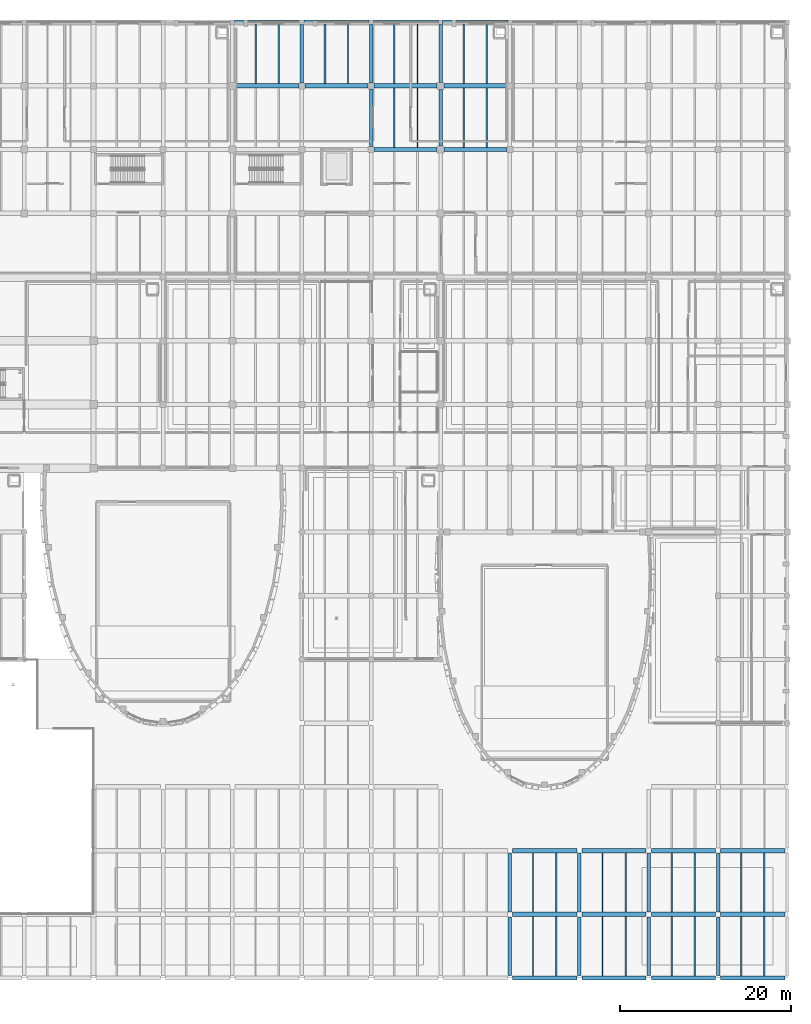
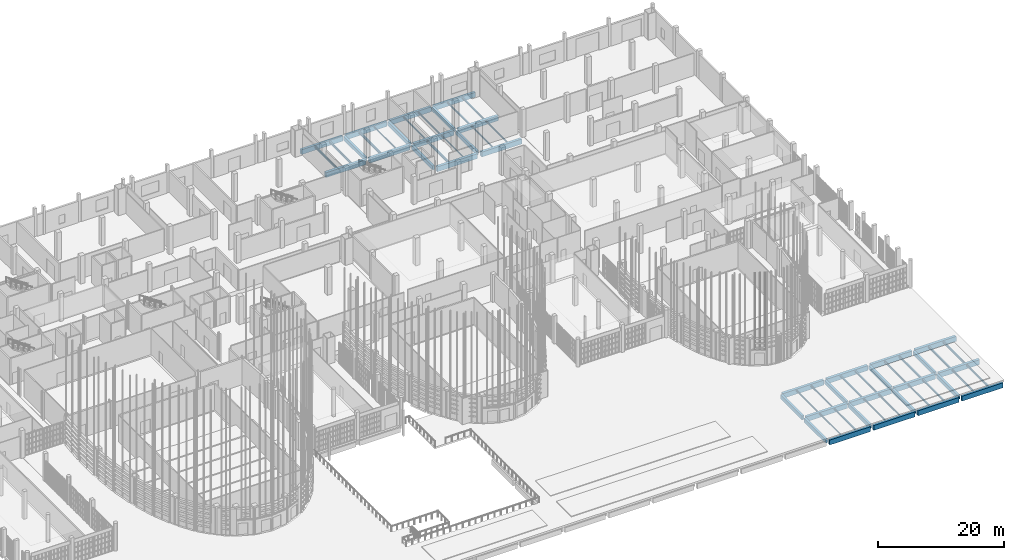
# One storey, part 251 of 372: 63 beams.
"""IFC4 building model written with IfcOpenShell, lengths in metres."""

from ifc_helpers import new_model, si_unit, direction, frame, origin, origin_2d, place, context, subcontext, project, spatial, rectangle, i_section, extrude, material, material_profile, profile_set, type_object, element, save


model = new_model("IFC4")

# Units and contexts
model_context = context("Model", 3, precision=1e-05, world=origin(), true_north=direction((0.0, 1.0)))
body_context = subcontext(model_context, "Body", "Model", "MODEL_VIEW")
ifc_project = project(units=[si_unit("LENGTHUNIT", "METRE"), si_unit("AREAUNIT", "SQUARE_METRE"), si_unit("VOLUMEUNIT", "CUBIC_METRE"), si_unit("PLANEANGLEUNIT", "RADIAN"), si_unit("MASSUNIT", "GRAM", prefix="KILO")], contexts=[model_context])

# Site, building, storey
site_placement = place(None, origin())
site = spatial("IfcSite", under=ifc_project, at=site_placement, CompositionType="ELEMENT")
building_placement = place(site_placement, origin())
building = spatial("IfcBuilding", under=site, at=building_placement, Name="Kaelora Sail Theatre", CompositionType="ELEMENT")
storey_placement = place(building_placement, origin())
storey = spatial("IfcBuildingStorey", under=building, at=storey_placement, Name="L00", CompositionType="ELEMENT", Elevation=0.0)

# Beams
ifc_material_1 = material(Name="Steel S355", Category="steel")
ifc_material_profile_1 = material_profile(ifc_material_1, i_section(OverallWidth=0.18994140625, OverallDepth=0.449951171875, WebThickness=0.009521484375, FlangeThickness=0.0146484375, FilletRadius=0.02099609375, at=origin_2d()), Name="IPE 450")
ifc_profile_set_1 = profile_set([ifc_material_profile_1], Name="Steel S355")
beam_type_1 = type_object("IfcBeamType", Name="STR-BM-BM-IPE450", PredefinedType="BEAM", material=ifc_profile_set_1)
for number, where, z_axis, x_axis, name in (
    (1, (104.10009765625, 105.909912109375, -0.544921875), (0.0, 1.0, 0.0), (-1.0, 0.0, 0.0), "Secondary floor joist 13/O-2 (L00)"),
    (2, (109.5, 105.909912109375, -0.544921875), (0.0, 1.0, 0.0), (-1.0, 0.0, 0.0), "Secondary floor joist 14/O-1 (L00)"),
):
    element("IfcBeam", number, at=place(storey_placement, frame(where, z_axis=z_axis, x_axis=x_axis)), inside=storey, type_object=beam_type_1, Name=name, PredefinedType="BEAM", context=body_context, shape_type="SweptSolid", body=[
        extrude(i_section(OverallWidth=0.18994140625, OverallDepth=0.449951171875, WebThickness=0.009521484375, FlangeThickness=0.0146484375, FilletRadius=0.02099609375, at=origin_2d()), origin(), (0.0, 0.0, 1.0), 6.965087890625),
    ])
for number, where, z_axis, x_axis, name in (
    (3, (117.60009765625, 98.469970703125, -0.544921875), (0.0, 1.0, 0.0), (-1.0, 0.0, 0.0), "Secondary floor joist 15/N-1 (L00)"),
    (4, (160.800048828125, 9.18994140625, -0.544921875), (0.0, 1.0, 0.0), (-1.0, 0.0, 0.0), "Secondary floor joist 20/B-2 (L00)"),
):
    element("IfcBeam", number, at=place(storey_placement, frame(where, z_axis=z_axis, x_axis=x_axis)), inside=storey, type_object=beam_type_1, Name=name, PredefinedType="BEAM", context=body_context, shape_type="SweptSolid", body=[
        extrude(i_section(OverallWidth=0.18994140625, OverallDepth=0.449951171875, WebThickness=0.009521484375, FlangeThickness=0.0146484375, FilletRadius=0.02099609375, at=origin_2d()), origin(), (0.0, 0.0, 1.0), 6.93994140625),
    ])
ifc_material_2 = material(Name="Concrete C40/50", Category="concrete")
ifc_material_profile_2 = material_profile(ifc_material_2, rectangle(XDim=0.39990234375, YDim=0.75, at=origin_2d()), Name="RC-BM 400x750")
ifc_profile_set_2 = profile_set([ifc_material_profile_2], Name="Concrete C40/50")
beam_type_2 = type_object("IfcBeamType", Name="STR-BM-BM-RC4075", PredefinedType="BEAM", material=ifc_profile_set_2)
beam_1_placement = place(storey_placement, frame((106.800048828125, 106.010009765625, -0.695068359375), z_axis=(0.0, 1.0, 0.0), x_axis=(-1.0, 0.0, 0.0)))
element("IfcBeam", 5, at=beam_1_placement, inside=storey, type_object=beam_type_2, Name="Primary beam 14 O-P (L00)", PredefinedType="BEAM", context=body_context, shape_type="SweptSolid", body=[
    extrude(rectangle(XDim=0.39990234375, YDim=0.75, at=origin_2d()), origin(), (0.0, 0.0, 1.0), 6.840087890625),
])
beam_2_placement = place(storey_placement, frame((114.89990234375, 98.570068359375, -0.695068359375), z_axis=(0.0, 1.0, 0.0), x_axis=(-1.0, 0.0, 0.0)))
element("IfcBeam", 6, at=beam_2_placement, inside=storey, type_object=beam_type_2, Name="Primary beam 15 N-O (L00)", PredefinedType="BEAM", context=body_context, shape_type="SweptSolid", body=[
    extrude(rectangle(XDim=0.39990234375, YDim=0.75, at=origin_2d()), origin(), (0.0, 0.0, 1.0), 6.739990234375),
])
beam_3_placement = place(storey_placement, frame((114.89990234375, 106.010009765625, -0.695068359375), z_axis=(0.0, 1.0, 0.0), x_axis=(-1.0, 0.0, 0.0)))
element("IfcBeam", 7, at=beam_3_placement, inside=storey, type_object=beam_type_2, Name="Primary beam 15 O-P (L00)", PredefinedType="BEAM", context=body_context, shape_type="SweptSolid", body=[
    extrude(rectangle(XDim=0.39990234375, YDim=0.75, at=origin_2d()), origin(), (0.0, 0.0, 1.0), 6.840087890625),
])
beam_4_placement = place(storey_placement, frame((123.0, 98.6201171875, -0.695068359375), z_axis=(0.0, 1.0, 0.0), x_axis=(-1.0, 0.0, 0.0)))
element("IfcBeam", 8, at=beam_4_placement, inside=storey, type_object=beam_type_2, Name="Primary beam 16 N-O (L00)", PredefinedType="BEAM", context=body_context, shape_type="SweptSolid", body=[
    extrude(rectangle(XDim=0.39990234375, YDim=0.75, at=origin_2d()), origin(), (0.0, 0.0, 1.0), 6.639892578125),
])
beam_5_placement = place(storey_placement, frame((123.0, 106.06005859375, -0.695068359375), z_axis=(0.0, 1.0, 0.0), x_axis=(-1.0, 0.0, 0.0)))
element("IfcBeam", 9, at=beam_5_placement, inside=storey, type_object=beam_type_2, Name="Primary beam 16 O-P (L00)", PredefinedType="BEAM", context=body_context, shape_type="SweptSolid", body=[
    extrude(rectangle(XDim=0.39990234375, YDim=0.75, at=origin_2d()), origin(), (0.0, 0.0, 1.0), 6.7900390625),
])
beam_6_placement = place(storey_placement, frame((131.10009765625, 1.800048828125, -0.695068359375), z_axis=(0.0, 1.0, 0.0), x_axis=(-1.0, 0.0, 0.0)))
element("IfcBeam", 10, at=beam_6_placement, inside=storey, type_object=beam_type_2, Name="Primary beam 17 A-B (L00)", PredefinedType="BEAM", context=body_context, shape_type="SweptSolid", body=[
    extrude(rectangle(XDim=0.39990234375, YDim=0.75, at=origin_2d()), origin(), (0.0, 0.0, 1.0), 6.83984375),
])
beam_7_placement = place(storey_placement, frame((131.10009765625, 9.239990234375, -0.695068359375), z_axis=(0.0, 1.0, 0.0), x_axis=(-1.0, 0.0, 0.0)))
element("IfcBeam", 11, at=beam_7_placement, inside=storey, type_object=beam_type_2, Name="Primary beam 17 B-C (L00)", PredefinedType="BEAM", context=body_context, shape_type="SweptSolid", body=[
    extrude(rectangle(XDim=0.39990234375, YDim=0.75, at=origin_2d()), origin(), (0.0, 0.0, 1.0), 6.840087890625),
])
beam_8_placement = place(storey_placement, frame((139.199951171875, 1.800048828125, -0.695068359375), z_axis=(0.0, 1.0, 0.0), x_axis=(-1.0, 0.0, 0.0)))
element("IfcBeam", 12, at=beam_8_placement, inside=storey, type_object=beam_type_2, Name="Primary beam 18 A-B (L00)", PredefinedType="BEAM", context=body_context, shape_type="SweptSolid", body=[
    extrude(rectangle(XDim=0.39990234375, YDim=0.75, at=origin_2d()), origin(), (0.0, 0.0, 1.0), 6.83984375),
])
beam_9_placement = place(storey_placement, frame((139.199951171875, 9.239990234375, -0.695068359375), z_axis=(0.0, 1.0, 0.0), x_axis=(-1.0, 0.0, 0.0)))
element("IfcBeam", 13, at=beam_9_placement, inside=storey, type_object=beam_type_2, Name="Primary beam 18 B-C (L00)", PredefinedType="BEAM", context=body_context, shape_type="SweptSolid", body=[
    extrude(rectangle(XDim=0.39990234375, YDim=0.75, at=origin_2d()), origin(), (0.0, 0.0, 1.0), 6.840087890625),
])
beam_10_placement = place(storey_placement, frame((147.300048828125, 1.800048828125, -0.695068359375), z_axis=(0.0, 1.0, 0.0), x_axis=(-1.0, 0.0, 0.0)))
element("IfcBeam", 14, at=beam_10_placement, inside=storey, type_object=beam_type_2, Name="Primary beam 19 A-B (L00)", PredefinedType="BEAM", context=body_context, shape_type="SweptSolid", body=[
    extrude(rectangle(XDim=0.39990234375, YDim=0.75, at=origin_2d()), origin(), (0.0, 0.0, 1.0), 6.83984375),
])
beam_11_placement = place(storey_placement, frame((147.300048828125, 9.239990234375, -0.695068359375), z_axis=(0.0, 1.0, 0.0), x_axis=(-1.0, 0.0, 0.0)))
element("IfcBeam", 15, at=beam_11_placement, inside=storey, type_object=beam_type_2, Name="Primary beam 19 B-C (L00)", PredefinedType="BEAM", context=body_context, shape_type="SweptSolid", body=[
    extrude(rectangle(XDim=0.39990234375, YDim=0.75, at=origin_2d()), origin(), (0.0, 0.0, 1.0), 6.840087890625),
])
beam_12_placement = place(storey_placement, frame((155.39990234375, 1.800048828125, -0.695068359375), z_axis=(0.0, 1.0, 0.0), x_axis=(-1.0, 0.0, 0.0)))
element("IfcBeam", 16, at=beam_12_placement, inside=storey, type_object=beam_type_2, Name="Primary beam 20 A-B (L00)", PredefinedType="BEAM", context=body_context, shape_type="SweptSolid", body=[
    extrude(rectangle(XDim=0.39990234375, YDim=0.75, at=origin_2d()), origin(), (0.0, 0.0, 1.0), 6.83984375),
])
beam_13_placement = place(storey_placement, frame((155.39990234375, 9.239990234375, -0.695068359375), z_axis=(0.0, 1.0, 0.0), x_axis=(-1.0, 0.0, 0.0)))
element("IfcBeam", 17, at=beam_13_placement, inside=storey, type_object=beam_type_2, Name="Primary beam 20 B-C (L00)", PredefinedType="BEAM", context=body_context, shape_type="SweptSolid", body=[
    extrude(rectangle(XDim=0.39990234375, YDim=0.75, at=origin_2d()), origin(), (0.0, 0.0, 1.0), 6.840087890625),
])
ifc_material_3 = material(Name="Concrete C45/55", Category="concrete")
ifc_material_profile_3 = material_profile(ifc_material_3, rectangle(XDim=0.5, YDim=0.949951171875, at=origin_2d()), Name="RC-GRD 500x950")
ifc_profile_set_3 = profile_set([ifc_material_profile_3], Name="Concrete C45/55")
beam_type_3 = type_object("IfcBeamType", Name="STR-BM-GR-RC5095", PredefinedType="T_BEAM", material=ifc_profile_set_3)
beam_14_placement = place(storey_placement, frame((99.10009765625, 105.659912109375, -0.794921875), z_axis=(1.0, 0.0, 0.0), x_axis=(0.0, 1.0, 0.0)))
element("IfcBeam", 18, at=beam_14_placement, inside=storey, type_object=beam_type_3, Name="Primary beam O 13-14 (L00)", PredefinedType="T_BEAM", context=body_context, shape_type="SweptSolid", body=[
    extrude(rectangle(XDim=0.5, YDim=0.949951171875, at=origin_2d()), origin(), (0.0, 0.0, 1.0), 7.349853515625),
])
beam_15_placement = place(storey_placement, frame((107.14990234375, 105.659912109375, -0.794921875), z_axis=(1.0, 0.0, 0.0), x_axis=(0.0, 1.0, 0.0)))
element("IfcBeam", 19, at=beam_15_placement, inside=storey, type_object=beam_type_3, Name="Primary beam O 14-15 (L00)", PredefinedType="T_BEAM", context=body_context, shape_type="SweptSolid", body=[
    extrude(rectangle(XDim=0.5, YDim=0.949951171875, at=origin_2d()), origin(), (0.0, 0.0, 1.0), 7.400146484375),
])
for number, where, z_axis, x_axis, name in (
    (20, (115.25, 98.219970703125, -0.794921875), (1.0, 0.0, 0.0), (0.0, 1.0, 0.0), "Primary beam N 15-16 (L00)"),
    (21, (115.25, 105.659912109375, -0.794921875), (1.0, 0.0, 0.0), (0.0, 1.0, 0.0), "Primary beam O 15-16 (L00)"),
    (22, (123.39990234375, 98.219970703125, -0.794921875), (1.0, 0.0, 0.0), (0.0, 1.0, 0.0), "Primary beam N 16-17 (L00)"),
    (23, (123.39990234375, 105.659912109375, -0.794921875), (1.0, 0.0, 0.0), (0.0, 1.0, 0.0), "Primary beam O 16-17 (L00)"),
):
    element("IfcBeam", number, at=place(storey_placement, frame(where, z_axis=z_axis, x_axis=x_axis)), inside=storey, type_object=beam_type_3, Name=name, PredefinedType="T_BEAM", context=body_context, shape_type="SweptSolid", body=[
        extrude(rectangle(XDim=0.5, YDim=0.949951171875, at=origin_2d()), origin(), (0.0, 0.0, 1.0), 7.35009765625),
    ])
for number, where, z_axis, x_axis, name in (
    (24, (131.39990234375, 8.93994140625, -0.794921875), (1.0, 0.0, 0.0), (0.0, 1.0, 0.0), "Primary beam B 17-18 (L00)"),
    (25, (131.39990234375, 16.3798828125, -0.794921875), (1.0, 0.0, 0.0), (0.0, 1.0, 0.0), "Primary beam C 17-18 (L00)"),
    (26, (139.5, 8.93994140625, -0.794921875), (1.0, 0.0, 0.0), (0.0, 1.0, 0.0), "Primary beam B 18-19 (L00)"),
    (27, (139.5, 16.3798828125, -0.794921875), (1.0, 0.0, 0.0), (0.0, 1.0, 0.0), "Primary beam C 18-19 (L00)"),
    (28, (147.60009765625, 8.93994140625, -0.794921875), (1.0, 0.0, 0.0), (0.0, 1.0, 0.0), "Primary beam B 19-20 (L00)"),
    (29, (147.60009765625, 16.3798828125, -0.794921875), (1.0, 0.0, 0.0), (0.0, 1.0, 0.0), "Primary beam C 19-20 (L00)"),
    (30, (155.699951171875, 8.93994140625, -0.794921875), (1.0, 0.0, 0.0), (0.0, 1.0, 0.0), "Primary beam B 20-21 (L00)"),
    (31, (155.699951171875, 16.3798828125, -0.794921875), (1.0, 0.0, 0.0), (0.0, 1.0, 0.0), "Primary beam C 20-21 (L00)"),
):
    element("IfcBeam", number, at=place(storey_placement, frame(where, z_axis=z_axis, x_axis=x_axis)), inside=storey, type_object=beam_type_3, Name=name, PredefinedType="T_BEAM", context=body_context, shape_type="SweptSolid", body=[
        extrude(rectangle(XDim=0.5, YDim=0.949951171875, at=origin_2d()), origin(), (0.0, 0.0, 1.0), 7.5),
    ])
ifc_material_4 = material(Name="Steel S355", Category="steel")
ifc_material_profile_4 = material_profile(ifc_material_4, i_section(OverallWidth=0.135009765625, OverallDepth=0.27001953125, WebThickness=0.006591796875, FlangeThickness=0.01025390625, FilletRadius=0.014892578125, at=origin_2d()), Name="IPE 270")
ifc_profile_set_4 = profile_set([ifc_material_profile_4], Name="Steel S355")
beam_type_4 = type_object("IfcBeamType", Name="STR-BM-JS-IPE270", PredefinedType="JOIST", material=ifc_profile_set_4)
beam_16_placement = place(storey_placement, frame((112.199951171875, 105.909912109375, -0.455078125), z_axis=(0.0, 1.0, 0.0), x_axis=(-1.0, 0.0, 0.0)))
element("IfcBeam", 32, at=beam_16_placement, inside=storey, type_object=beam_type_4, Name="Secondary floor joist 14/O-2 (L00)", PredefinedType="JOIST", context=body_context, shape_type="SweptSolid", body=[
    extrude(i_section(OverallWidth=0.135009765625, OverallDepth=0.27001953125, WebThickness=0.006591796875, FlangeThickness=0.01025390625, FilletRadius=0.014892578125, at=origin_2d()), origin(), (0.0, 0.0, 1.0), 6.965087890625),
])
beam_17_placement = place(storey_placement, frame((120.300048828125, 98.469970703125, -0.455078125), z_axis=(0.0, 1.0, 0.0), x_axis=(-1.0, 0.0, 0.0)))
element("IfcBeam", 33, at=beam_17_placement, inside=storey, type_object=beam_type_4, Name="Secondary floor joist 15/N-2 (L00)", PredefinedType="JOIST", context=body_context, shape_type="SweptSolid", body=[
    extrude(i_section(OverallWidth=0.135009765625, OverallDepth=0.27001953125, WebThickness=0.006591796875, FlangeThickness=0.01025390625, FilletRadius=0.014892578125, at=origin_2d()), origin(), (0.0, 0.0, 1.0), 6.93994140625),
])
beam_18_placement = place(storey_placement, frame((117.60009765625, 105.909912109375, -0.455078125), z_axis=(0.0, 1.0, 0.0), x_axis=(-1.0, 0.0, 0.0)))
element("IfcBeam", 34, at=beam_18_placement, inside=storey, type_object=beam_type_4, Name="Secondary floor joist 15/O-1 (L00)", PredefinedType="JOIST", context=body_context, shape_type="SweptSolid", body=[
    extrude(i_section(OverallWidth=0.135009765625, OverallDepth=0.27001953125, WebThickness=0.006591796875, FlangeThickness=0.01025390625, FilletRadius=0.014892578125, at=origin_2d()), origin(), (0.0, 0.0, 1.0), 6.965087890625),
])
beam_19_placement = place(storey_placement, frame((125.699951171875, 98.469970703125, -0.455078125), z_axis=(0.0, 1.0, 0.0), x_axis=(-1.0, 0.0, 0.0)))
element("IfcBeam", 35, at=beam_19_placement, inside=storey, type_object=beam_type_4, Name="Secondary floor joist 16/N-1 (L00)", PredefinedType="JOIST", context=body_context, shape_type="SweptSolid", body=[
    extrude(i_section(OverallWidth=0.135009765625, OverallDepth=0.27001953125, WebThickness=0.006591796875, FlangeThickness=0.01025390625, FilletRadius=0.014892578125, at=origin_2d()), origin(), (0.0, 0.0, 1.0), 6.93994140625),
])
beam_20_placement = place(storey_placement, frame((133.800048828125, 1.72509765625, -0.455078125), z_axis=(0.0, 1.0, 0.0), x_axis=(-1.0, 0.0, 0.0)))
element("IfcBeam", 36, at=beam_20_placement, inside=storey, type_object=beam_type_4, Name="Secondary floor joist 17/A-1 (L00)", PredefinedType="JOIST", context=body_context, shape_type="SweptSolid", body=[
    extrude(i_section(OverallWidth=0.135009765625, OverallDepth=0.27001953125, WebThickness=0.006591796875, FlangeThickness=0.01025390625, FilletRadius=0.014892578125, at=origin_2d()), origin(), (0.0, 0.0, 1.0), 6.96484375),
])
ifc_material_5 = material(Name="Steel S355", Category="steel")
ifc_material_profile_5 = material_profile(ifc_material_5, i_section(OverallWidth=0.14990234375, OverallDepth=0.300048828125, WebThickness=0.007080078125, FlangeThickness=0.0107421875, FilletRadius=0.014892578125, at=origin_2d()), Name="IPE 300")
ifc_profile_set_5 = profile_set([ifc_material_profile_5], Name="Steel S355")
beam_type_5 = type_object("IfcBeamType", Name="STR-BM-JS-IPE300", PredefinedType="JOIST", material=ifc_profile_set_5)
beam_21_placement = place(storey_placement, frame((120.300048828125, 105.909912109375, -0.469970703125), z_axis=(0.0, 1.0, 0.0), x_axis=(-1.0, 0.0, 0.0)))
element("IfcBeam", 37, at=beam_21_placement, inside=storey, type_object=beam_type_5, Name="Secondary floor joist 15/O-2 (L00)", PredefinedType="JOIST", context=body_context, shape_type="SweptSolid", body=[
    extrude(i_section(OverallWidth=0.14990234375, OverallDepth=0.300048828125, WebThickness=0.007080078125, FlangeThickness=0.0107421875, FilletRadius=0.014892578125, at=origin_2d()), origin(), (0.0, 0.0, 1.0), 6.965087890625),
])
beam_22_placement = place(storey_placement, frame((128.39990234375, 98.469970703125, -0.469970703125), z_axis=(0.0, 1.0, 0.0), x_axis=(-1.0, 0.0, 0.0)))
element("IfcBeam", 38, at=beam_22_placement, inside=storey, type_object=beam_type_5, Name="Secondary floor joist 16/N-2 (L00)", PredefinedType="JOIST", context=body_context, shape_type="SweptSolid", body=[
    extrude(i_section(OverallWidth=0.14990234375, OverallDepth=0.300048828125, WebThickness=0.007080078125, FlangeThickness=0.0107421875, FilletRadius=0.014892578125, at=origin_2d()), origin(), (0.0, 0.0, 1.0), 6.93994140625),
])
beam_23_placement = place(storey_placement, frame((125.699951171875, 105.909912109375, -0.469970703125), z_axis=(0.0, 1.0, 0.0), x_axis=(-1.0, 0.0, 0.0)))
element("IfcBeam", 39, at=beam_23_placement, inside=storey, type_object=beam_type_5, Name="Secondary floor joist 16/O-1 (L00)", PredefinedType="JOIST", context=body_context, shape_type="SweptSolid", body=[
    extrude(i_section(OverallWidth=0.14990234375, OverallDepth=0.300048828125, WebThickness=0.007080078125, FlangeThickness=0.0107421875, FilletRadius=0.014892578125, at=origin_2d()), origin(), (0.0, 0.0, 1.0), 6.965087890625),
])
beam_24_placement = place(storey_placement, frame((136.5, 1.72509765625, -0.469970703125), z_axis=(0.0, 1.0, 0.0), x_axis=(-1.0, 0.0, 0.0)))
element("IfcBeam", 40, at=beam_24_placement, inside=storey, type_object=beam_type_5, Name="Secondary floor joist 17/A-2 (L00)", PredefinedType="JOIST", context=body_context, shape_type="SweptSolid", body=[
    extrude(i_section(OverallWidth=0.14990234375, OverallDepth=0.300048828125, WebThickness=0.007080078125, FlangeThickness=0.0107421875, FilletRadius=0.014892578125, at=origin_2d()), origin(), (0.0, 0.0, 1.0), 6.96484375),
])
beam_25_placement = place(storey_placement, frame((133.800048828125, 9.18994140625, -0.469970703125), z_axis=(0.0, 1.0, 0.0), x_axis=(-1.0, 0.0, 0.0)))
element("IfcBeam", 41, at=beam_25_placement, inside=storey, type_object=beam_type_5, Name="Secondary floor joist 17/B-1 (L00)", PredefinedType="JOIST", context=body_context, shape_type="SweptSolid", body=[
    extrude(i_section(OverallWidth=0.14990234375, OverallDepth=0.300048828125, WebThickness=0.007080078125, FlangeThickness=0.0107421875, FilletRadius=0.014892578125, at=origin_2d()), origin(), (0.0, 0.0, 1.0), 6.93994140625),
])
beam_26_placement = place(storey_placement, frame((141.89990234375, 1.72509765625, -0.469970703125), z_axis=(0.0, 1.0, 0.0), x_axis=(-1.0, 0.0, 0.0)))
element("IfcBeam", 42, at=beam_26_placement, inside=storey, type_object=beam_type_5, Name="Secondary floor joist 18/A-1 (L00)", PredefinedType="JOIST", context=body_context, shape_type="SweptSolid", body=[
    extrude(i_section(OverallWidth=0.14990234375, OverallDepth=0.300048828125, WebThickness=0.007080078125, FlangeThickness=0.0107421875, FilletRadius=0.014892578125, at=origin_2d()), origin(), (0.0, 0.0, 1.0), 6.96484375),
])
ifc_material_6 = material(Name="Steel S355", Category="steel")
ifc_material_profile_6 = material_profile(ifc_material_6, i_section(OverallWidth=0.159912109375, OverallDepth=0.330078125, WebThickness=0.007568359375, FlangeThickness=0.011474609375, FilletRadius=0.01806640625, at=origin_2d()), Name="IPE 330")
ifc_profile_set_6 = profile_set([ifc_material_profile_6], Name="Steel S355")
beam_type_6 = type_object("IfcBeamType", Name="STR-BM-JS-IPE330", PredefinedType="JOIST", material=ifc_profile_set_6)
beam_27_placement = place(storey_placement, frame((128.39990234375, 105.909912109375, -0.485107421875), z_axis=(0.0, 1.0, 0.0), x_axis=(-1.0, 0.0, 0.0)))
element("IfcBeam", 43, at=beam_27_placement, inside=storey, type_object=beam_type_6, Name="Secondary floor joist 16/O-2 (L00)", PredefinedType="JOIST", context=body_context, shape_type="SweptSolid", body=[
    extrude(i_section(OverallWidth=0.159912109375, OverallDepth=0.330078125, WebThickness=0.007568359375, FlangeThickness=0.011474609375, FilletRadius=0.01806640625, at=origin_2d()), origin(), (0.0, 0.0, 1.0), 6.965087890625),
])
beam_28_placement = place(storey_placement, frame((136.5, 9.18994140625, -0.485107421875), z_axis=(0.0, 1.0, 0.0), x_axis=(-1.0, 0.0, 0.0)))
element("IfcBeam", 44, at=beam_28_placement, inside=storey, type_object=beam_type_6, Name="Secondary floor joist 17/B-2 (L00)", PredefinedType="JOIST", context=body_context, shape_type="SweptSolid", body=[
    extrude(i_section(OverallWidth=0.159912109375, OverallDepth=0.330078125, WebThickness=0.007568359375, FlangeThickness=0.011474609375, FilletRadius=0.01806640625, at=origin_2d()), origin(), (0.0, 0.0, 1.0), 6.93994140625),
])
beam_29_placement = place(storey_placement, frame((144.60009765625, 1.72509765625, -0.485107421875), z_axis=(0.0, 1.0, 0.0), x_axis=(-1.0, 0.0, 0.0)))
element("IfcBeam", 45, at=beam_29_placement, inside=storey, type_object=beam_type_6, Name="Secondary floor joist 18/A-2 (L00)", PredefinedType="JOIST", context=body_context, shape_type="SweptSolid", body=[
    extrude(i_section(OverallWidth=0.159912109375, OverallDepth=0.330078125, WebThickness=0.007568359375, FlangeThickness=0.011474609375, FilletRadius=0.01806640625, at=origin_2d()), origin(), (0.0, 0.0, 1.0), 6.96484375),
])
beam_30_placement = place(storey_placement, frame((141.89990234375, 9.18994140625, -0.485107421875), z_axis=(0.0, 1.0, 0.0), x_axis=(-1.0, 0.0, 0.0)))
element("IfcBeam", 46, at=beam_30_placement, inside=storey, type_object=beam_type_6, Name="Secondary floor joist 18/B-1 (L00)", PredefinedType="JOIST", context=body_context, shape_type="SweptSolid", body=[
    extrude(i_section(OverallWidth=0.159912109375, OverallDepth=0.330078125, WebThickness=0.007568359375, FlangeThickness=0.011474609375, FilletRadius=0.01806640625, at=origin_2d()), origin(), (0.0, 0.0, 1.0), 6.93994140625),
])
beam_31_placement = place(storey_placement, frame((150.0, 1.72509765625, -0.485107421875), z_axis=(0.0, 1.0, 0.0), x_axis=(-1.0, 0.0, 0.0)))
element("IfcBeam", 47, at=beam_31_placement, inside=storey, type_object=beam_type_6, Name="Secondary floor joist 19/A-1 (L00)", PredefinedType="JOIST", context=body_context, shape_type="SweptSolid", body=[
    extrude(i_section(OverallWidth=0.159912109375, OverallDepth=0.330078125, WebThickness=0.007568359375, FlangeThickness=0.011474609375, FilletRadius=0.01806640625, at=origin_2d()), origin(), (0.0, 0.0, 1.0), 6.96484375),
])
ifc_material_7 = material(Name="Steel S355", Category="steel")
ifc_material_profile_7 = material_profile(ifc_material_7, i_section(OverallWidth=0.169921875, OverallDepth=0.360107421875, WebThickness=0.008056640625, FlangeThickness=0.0126953125, FilletRadius=0.01806640625, at=origin_2d()), Name="IPE 360")
ifc_profile_set_7 = profile_set([ifc_material_profile_7], Name="Steel S355")
beam_type_7 = type_object("IfcBeamType", Name="STR-BM-JS-IPE360", PredefinedType="JOIST", material=ifc_profile_set_7)
beam_32_placement = place(storey_placement, frame((144.60009765625, 9.18994140625, -0.5), z_axis=(0.0, 1.0, 0.0), x_axis=(-1.0, 0.0, 0.0)))
element("IfcBeam", 48, at=beam_32_placement, inside=storey, type_object=beam_type_7, Name="Secondary floor joist 18/B-2 (L00)", PredefinedType="JOIST", context=body_context, shape_type="SweptSolid", body=[
    extrude(i_section(OverallWidth=0.169921875, OverallDepth=0.360107421875, WebThickness=0.008056640625, FlangeThickness=0.0126953125, FilletRadius=0.01806640625, at=origin_2d()), origin(), (0.0, 0.0, 1.0), 6.93994140625),
])
beam_33_placement = place(storey_placement, frame((152.699951171875, 1.72509765625, -0.5), z_axis=(0.0, 1.0, 0.0), x_axis=(-1.0, 0.0, 0.0)))
element("IfcBeam", 49, at=beam_33_placement, inside=storey, type_object=beam_type_7, Name="Secondary floor joist 19/A-2 (L00)", PredefinedType="JOIST", context=body_context, shape_type="SweptSolid", body=[
    extrude(i_section(OverallWidth=0.169921875, OverallDepth=0.360107421875, WebThickness=0.008056640625, FlangeThickness=0.0126953125, FilletRadius=0.01806640625, at=origin_2d()), origin(), (0.0, 0.0, 1.0), 6.96484375),
])
beam_34_placement = place(storey_placement, frame((150.0, 9.18994140625, -0.5), z_axis=(0.0, 1.0, 0.0), x_axis=(-1.0, 0.0, 0.0)))
element("IfcBeam", 50, at=beam_34_placement, inside=storey, type_object=beam_type_7, Name="Secondary floor joist 19/B-1 (L00)", PredefinedType="JOIST", context=body_context, shape_type="SweptSolid", body=[
    extrude(i_section(OverallWidth=0.169921875, OverallDepth=0.360107421875, WebThickness=0.008056640625, FlangeThickness=0.0126953125, FilletRadius=0.01806640625, at=origin_2d()), origin(), (0.0, 0.0, 1.0), 6.93994140625),
])
beam_35_placement = place(storey_placement, frame((158.10009765625, 1.72509765625, -0.5), z_axis=(0.0, 1.0, 0.0), x_axis=(-1.0, 0.0, 0.0)))
element("IfcBeam", 51, at=beam_35_placement, inside=storey, type_object=beam_type_7, Name="Secondary floor joist 20/A-1 (L00)", PredefinedType="JOIST", context=body_context, shape_type="SweptSolid", body=[
    extrude(i_section(OverallWidth=0.169921875, OverallDepth=0.360107421875, WebThickness=0.008056640625, FlangeThickness=0.0126953125, FilletRadius=0.01806640625, at=origin_2d()), origin(), (0.0, 0.0, 1.0), 6.96484375),
])
ifc_material_8 = material(Name="Steel S355", Category="steel")
ifc_material_profile_8 = material_profile(ifc_material_8, i_section(OverallWidth=0.179931640625, OverallDepth=0.39990234375, WebThickness=0.008544921875, FlangeThickness=0.013427734375, FilletRadius=0.02099609375, at=origin_2d()), Name="IPE 400")
ifc_profile_set_8 = profile_set([ifc_material_profile_8], Name="Steel S355")
beam_type_8 = type_object("IfcBeamType", Name="STR-BM-JS-IPE400", PredefinedType="JOIST", material=ifc_profile_set_8)
beam_36_placement = place(storey_placement, frame((101.39990234375, 105.909912109375, -0.52001953125), z_axis=(0.0, 1.0, 0.0), x_axis=(-1.0, 0.0, 0.0)))
element("IfcBeam", 52, at=beam_36_placement, inside=storey, type_object=beam_type_8, Name="Secondary floor joist 13/O-1 (L00)", PredefinedType="JOIST", context=body_context, shape_type="SweptSolid", body=[
    extrude(i_section(OverallWidth=0.179931640625, OverallDepth=0.39990234375, WebThickness=0.008544921875, FlangeThickness=0.013427734375, FilletRadius=0.02099609375, at=origin_2d()), origin(), (0.0, 0.0, 1.0), 6.965087890625),
])
beam_37_placement = place(storey_placement, frame((152.699951171875, 9.18994140625, -0.52001953125), z_axis=(0.0, 1.0, 0.0), x_axis=(-1.0, 0.0, 0.0)))
element("IfcBeam", 53, at=beam_37_placement, inside=storey, type_object=beam_type_8, Name="Secondary floor joist 19/B-2 (L00)", PredefinedType="JOIST", context=body_context, shape_type="SweptSolid", body=[
    extrude(i_section(OverallWidth=0.179931640625, OverallDepth=0.39990234375, WebThickness=0.008544921875, FlangeThickness=0.013427734375, FilletRadius=0.02099609375, at=origin_2d()), origin(), (0.0, 0.0, 1.0), 6.93994140625),
])
beam_38_placement = place(storey_placement, frame((160.800048828125, 1.72509765625, -0.52001953125), z_axis=(0.0, 1.0, 0.0), x_axis=(-1.0, 0.0, 0.0)))
element("IfcBeam", 54, at=beam_38_placement, inside=storey, type_object=beam_type_8, Name="Secondary floor joist 20/A-2 (L00)", PredefinedType="JOIST", context=body_context, shape_type="SweptSolid", body=[
    extrude(i_section(OverallWidth=0.179931640625, OverallDepth=0.39990234375, WebThickness=0.008544921875, FlangeThickness=0.013427734375, FilletRadius=0.02099609375, at=origin_2d()), origin(), (0.0, 0.0, 1.0), 6.96484375),
])
beam_39_placement = place(storey_placement, frame((158.10009765625, 9.18994140625, -0.52001953125), z_axis=(0.0, 1.0, 0.0), x_axis=(-1.0, 0.0, 0.0)))
element("IfcBeam", 55, at=beam_39_placement, inside=storey, type_object=beam_type_8, Name="Secondary floor joist 20/B-1 (L00)", PredefinedType="JOIST", context=body_context, shape_type="SweptSolid", body=[
    extrude(i_section(OverallWidth=0.179931640625, OverallDepth=0.39990234375, WebThickness=0.008544921875, FlangeThickness=0.013427734375, FilletRadius=0.02099609375, at=origin_2d()), origin(), (0.0, 0.0, 1.0), 6.93994140625),
])
ifc_material_9 = material(Name="Concrete C45/55", Category="concrete")
ifc_material_profile_9 = material_profile(ifc_material_9, rectangle(XDim=0.449951171875, YDim=0.949951171875, at=origin_2d()), Name="RC-SPN 450x950")
ifc_profile_set_9 = profile_set([ifc_material_profile_9], Name="Concrete C45/55")
beam_type_9 = type_object("IfcBeamType", Name="STR-BM-SP-RC4595", PredefinedType="SPANDREL", material=ifc_profile_set_9)
beam_40_placement = place(storey_placement, frame((98.949951171875, 113.10009765625, -0.794921875), z_axis=(1.0, 0.0, 0.0), x_axis=(0.0, 1.0, 0.0)))
element("IfcBeam", 56, at=beam_40_placement, inside=storey, type_object=beam_type_9, Name="Primary beam P 13-14 (L00)", PredefinedType="SPANDREL", context=body_context, shape_type="SweptSolid", body=[
    extrude(rectangle(XDim=0.449951171875, YDim=0.949951171875, at=origin_2d()), origin(), (0.0, 0.0, 1.0), 7.60009765625),
])
beam_41_placement = place(storey_placement, frame((107.050048828125, 113.10009765625, -0.794921875), z_axis=(1.0, 0.0, 0.0), x_axis=(0.0, 1.0, 0.0)))
element("IfcBeam", 57, at=beam_41_placement, inside=storey, type_object=beam_type_9, Name="Primary beam P 14-15 (L00)", PredefinedType="SPANDREL", context=body_context, shape_type="SweptSolid", body=[
    extrude(rectangle(XDim=0.449951171875, YDim=0.949951171875, at=origin_2d()), origin(), (0.0, 0.0, 1.0), 7.599853515625),
])
for number, where, z_axis, x_axis, name in (
    (58, (115.14990234375, 113.10009765625, -0.794921875), (1.0, 0.0, 0.0), (0.0, 1.0, 0.0), "Primary beam P 15-16 (L00)"),
    (59, (123.25, 113.10009765625, -0.794921875), (1.0, 0.0, 0.0), (0.0, 1.0, 0.0), "Primary beam P 16-17 (L00)"),
):
    element("IfcBeam", number, at=place(storey_placement, frame(where, z_axis=z_axis, x_axis=x_axis)), inside=storey, type_object=beam_type_9, Name=name, PredefinedType="SPANDREL", context=body_context, shape_type="SweptSolid", body=[
        extrude(rectangle(XDim=0.449951171875, YDim=0.949951171875, at=origin_2d()), origin(), (0.0, 0.0, 1.0), 7.60009765625),
    ])
for number, where, z_axis, x_axis, name in (
    (60, (131.39990234375, 1.5, -0.794921875), (1.0, 0.0, 0.0), (0.0, 1.0, 0.0), "Primary beam A 17-18 (L00)"),
    (61, (139.5, 1.5, -0.794921875), (1.0, 0.0, 0.0), (0.0, 1.0, 0.0), "Primary beam A 18-19 (L00)"),
    (62, (147.60009765625, 1.5, -0.794921875), (1.0, 0.0, 0.0), (0.0, 1.0, 0.0), "Primary beam A 19-20 (L00)"),
    (63, (155.699951171875, 1.5, -0.794921875), (1.0, 0.0, 0.0), (0.0, 1.0, 0.0), "Primary beam A 20-21 (L00)"),
):
    element("IfcBeam", number, at=place(storey_placement, frame(where, z_axis=z_axis, x_axis=x_axis)), inside=storey, type_object=beam_type_9, Name=name, PredefinedType="SPANDREL", context=body_context, shape_type="SweptSolid", body=[
        extrude(rectangle(XDim=0.449951171875, YDim=0.949951171875, at=origin_2d()), origin(), (0.0, 0.0, 1.0), 7.5),
    ])

save(model, "model.ifc")
